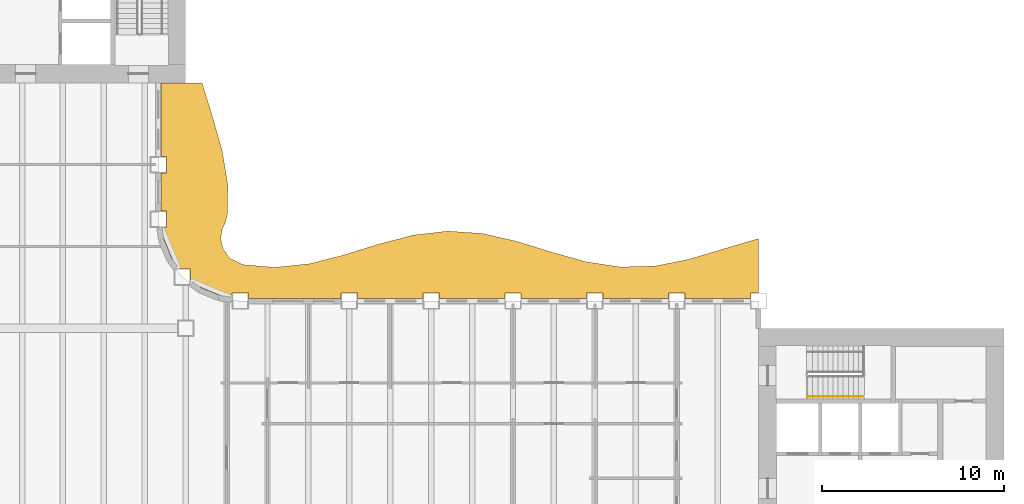
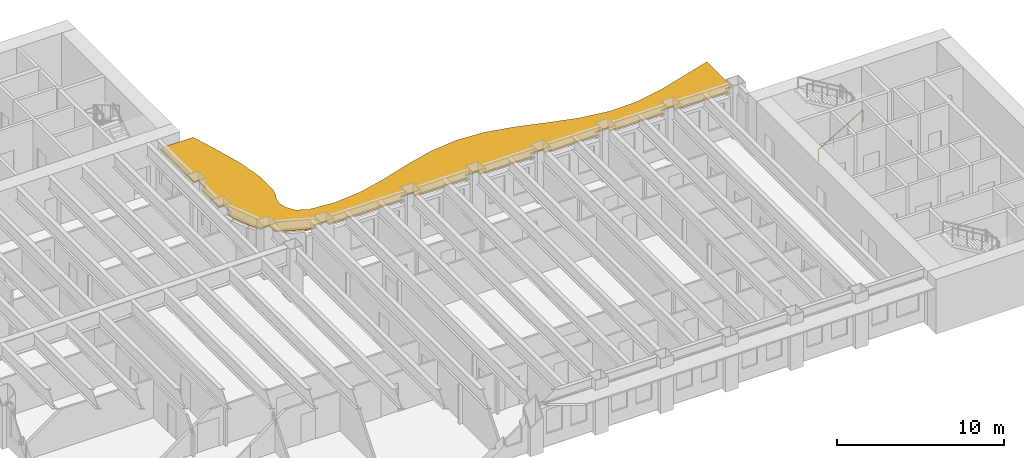
# One storey, part 14 of 16: 1 railing, 1 shading device.
"""IFC4 building model written with IfcOpenShell, lengths in metres."""

from ifc_helpers import new_model, si_unit, direction, frame, origin, origin_2d, place, context, subcontext, project, spatial, polyline, rectangle, outline, extrude, material, layer, layer_set, type_object, element, save


model = new_model("IFC4")

# Units and contexts
model_context = context("Model", 3, precision=1e-05, world=origin(), true_north=direction((0.0, 1.0)))
body_context = subcontext(model_context, "Body", "Model", "MODEL_VIEW")
ifc_project = project(units=[si_unit("LENGTHUNIT", "METRE"), si_unit("AREAUNIT", "SQUARE_METRE"), si_unit("VOLUMEUNIT", "CUBIC_METRE"), si_unit("PLANEANGLEUNIT", "RADIAN"), si_unit("MASSUNIT", "GRAM", prefix="KILO")], contexts=[model_context])

# Site, building, storey
site_placement = place(None, origin())
site = spatial("IfcSite", under=ifc_project, at=site_placement, CompositionType="ELEMENT")
building_placement = place(site_placement, origin())
building = spatial("IfcBuilding", under=site, at=building_placement, Name="Sennacour Bend Tower", CompositionType="ELEMENT")
storey_placement = place(building_placement, frame((0.0, 0.0, 163.0)))
storey = spatial("IfcBuildingStorey", under=building, at=storey_placement, Name="L37", CompositionType="ELEMENT", Elevation=163.0)

# Railing
ifc_material_1 = material(Name="Stainless steel", Category="steel")
railing_type = type_object("IfcRailingType", Name="RL-HANDRAIL-900", PredefinedType="HANDRAIL", material=ifc_material_1)
railing_placement = place(storey_placement, frame((56.699951171875, 18.75, 0.166748046875)))
element("IfcRailing", 1, at=railing_placement, inside=storey, type_object=railing_type, Name="L37 SA2 stair handrail 1", PredefinedType="HANDRAIL", context=body_context, shape_type="SweptSolid", body=[
    extrude(rectangle(XDim=0.048095703125, YDim=0.048095703125, at=origin_2d()), frame((0.0, 0.0, 0.8759765625), z_axis=(0.859308565015, 0.0, 0.511457515432), x_axis=(0.0, 1.0, 0.0)), (0.0, 0.0, 1.0), 3.58447265625),
    extrude(rectangle(XDim=0.0419921875, YDim=0.0419921875, at=origin_2d()), origin(), (0.0, 0.0, 1.0), 0.851806640625),
    extrude(rectangle(XDim=0.0419921875, YDim=0.0419921875, at=origin_2d()), frame((1.026611328125, 0.0, 0.611083984375)), (0.0, 0.0, 1.0), 0.851806640625),
    extrude(rectangle(XDim=0.0419921875, YDim=0.0419921875, at=origin_2d()), frame((2.053466796875, 0.0, 1.22216796875)), (0.0, 0.0, 1.0), 0.851806640625),
    extrude(rectangle(XDim=0.0419921875, YDim=0.0419921875, at=origin_2d()), frame((3.080078125, 0.0, 1.833251953125)), (0.0, 0.0, 1.0), 0.851806640625),
])

# Shading device
ifc_material_2 = material(Name="Bronze anodised aluminium", Category="aluminium")
ifc_layer = layer(ifc_material_2, 0.1201171875, Name="Bronze anodised aluminium", Category="aluminium")
ifc_layer_set = layer_set([ifc_layer], Name="Bronze anodised aluminium")
shading_device_type = type_object("IfcShadingDeviceType", Name="SUNSHADE BAND WAVE", PredefinedType="USERDEFINED", material=ifc_layer_set)
shading_device_placement = place(storey_placement, frame((0.0, 0.0, 3.029052734375)))
element("IfcShadingDevice", 2, at=shading_device_placement, inside=storey, type_object=shading_device_type, Name="Sunshade band L37 concave faces", ObjectType="SUNSHADE", PredefinedType="USERDEFINED", context=body_context, shape_type="SweptSolid", body=[
    extrude(outline(polyline([(53.550048828125, 24.14990234375), (49.949951171875, 24.14990234375), (49.949951171875, 24.449951171875), (49.050048828125, 24.449951171875), (49.050048828125, 24.14990234375), (45.449951171875, 24.14990234375), (45.449951171875, 24.449951171875), (44.550048828125, 24.449951171875), (44.550048828125, 24.14990234375), (40.949951171875, 24.14990234375), (40.949951171875, 24.449951171875), (40.050048828125, 24.449951171875), (40.050048828125, 24.14990234375), (36.449951171875, 24.14990234375), (36.449951171875, 24.449951171875), (35.550048828125, 24.449951171875), (35.550048828125, 24.14990234375), (31.949951171875, 24.14990234375), (31.949951171875, 24.449951171875), (31.050048828125, 24.449951171875), (31.050048828125, 24.14990234375), (25.949951171875, 24.14990234375), (25.949951171875, 24.449951171875), (25.050048828125, 24.449951171875), (25.050048828125, 24.21044921875), (24.37451171875, 24.299560546875), (23.32568359375, 24.73388671875), (22.76806640625, 25.16162109375), (22.76806640625, 25.76806640625), (22.16162109375, 25.76806640625), (21.73388671875, 26.32568359375), (21.299560546875, 27.37451171875), (21.21044921875, 28.050048828125), (21.449951171875, 28.050048828125), (21.449951171875, 28.949951171875), (21.14990234375, 28.949951171875), (21.14990234375, 31.050048828125), (21.449951171875, 31.050048828125), (21.449951171875, 31.949951171875), (21.14990234375, 31.949951171875), (21.14990234375, 36.0), (23.400634765625, 36.0), (23.978759765625, 34.125), (24.512451171875, 32.25), (24.818603515625, 30.375), (24.791748046875, 28.74853515625), (24.6650390625, 28.2763671875), (24.497314453125, 27.921142578125), (24.428466796875, 27.428466796875), (24.555908203125, 26.86474609375), (24.92431640625, 26.35107421875), (25.63134765625, 26.003662109375), (27.39990234375, 25.850830078125), (29.300048828125, 26.05029296875), (31.199951171875, 26.531982421875), (33.10009765625, 27.12548828125), (35.0, 27.6220703125), (36.89990234375, 27.84619140625), (38.800048828125, 27.71923828125), (40.699951171875, 27.285400390625), (42.60009765625, 26.6982421875), (44.5, 26.16455078125), (46.39990234375, 25.87255859375), (48.300048828125, 25.92529296875), (50.199951171875, 26.303955078125), (52.10009765625, 26.87548828125), (54.0, 27.437744140625), (54.0, 24.449951171875), (53.550048828125, 24.449951171875), (53.550048828125, 24.14990234375)])), origin(), (0.0, 0.0, 1.0), 0.119873046875),
])

save(model, "model.ifc")
